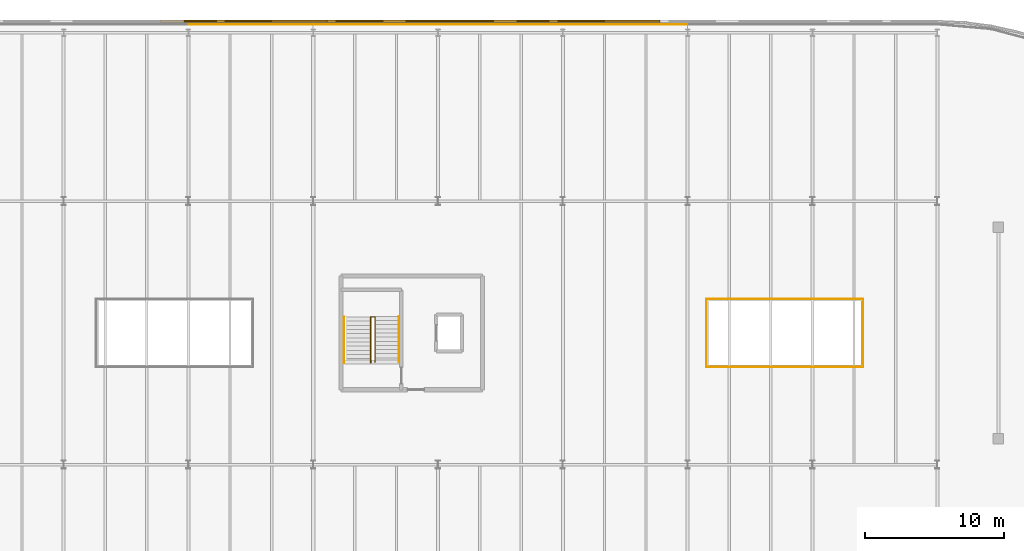
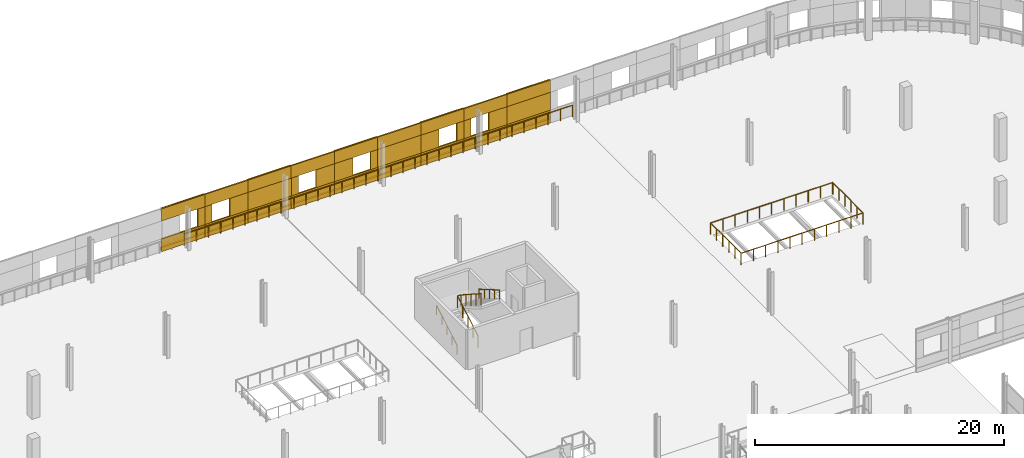
# One storey, part 98 of 103: 46 coverings, 9 railings.
"""IFC4 building model written with IfcOpenShell, lengths in metres."""

from ifc_helpers import new_model, si_unit, direction, frame, origin, origin_2d, place, context, subcontext, project, spatial, rectangle, circle, extrude, material, layer, layer_set, type_object, element, save


model = new_model("IFC4")

# Units and contexts
model_context = context("Model", 3, precision=1e-05, world=origin(), true_north=direction((0.0, 1.0)))
body_context = subcontext(model_context, "Body", "Model", "MODEL_VIEW")
ifc_project = project(units=[si_unit("LENGTHUNIT", "METRE"), si_unit("AREAUNIT", "SQUARE_METRE"), si_unit("VOLUMEUNIT", "CUBIC_METRE"), si_unit("PLANEANGLEUNIT", "RADIAN"), si_unit("MASSUNIT", "GRAM", prefix="KILO")], contexts=[model_context])

# Site, building, storey
site_placement = place(None, origin())
site = spatial("IfcSite", under=ifc_project, at=site_placement, CompositionType="ELEMENT")
building_placement = place(site_placement, origin())
building = spatial("IfcBuilding", under=site, at=building_placement, Name="Deido Ridge Mobility Hub", CompositionType="ELEMENT")
storey_placement = place(building_placement, frame((0.0, 0.0, 12.60009765625)))
storey = spatial("IfcBuildingStorey", under=building, at=storey_placement, Name="L03", CompositionType="ELEMENT", Elevation=12.60009765625)

# Coverings
ifc_material_1 = material(Name="Fired clay brick masonry", Category="masonry")
ifc_layer = layer(ifc_material_1, 0.114990234375, Name="Fired clay brick masonry")
ifc_layer_set = layer_set([ifc_layer], Name="Fired clay brick masonry")
covering_type = type_object("IfcCoveringType", Name="COV-BRK-SCREEN-115", PredefinedType="CLADDING", material=ifc_layer_set)
covering_1_placement = place(storey_placement, frame((95.0, 125.947509765625, 0.0), z_axis=(0.0, 0.0, 1.0), x_axis=(-1.0, 0.0, 0.0)))
element("IfcCovering", 1, at=covering_1_placement, inside=storey, type_object=covering_type, Name="Open brickwork spandrel course BKS1 (L03)", PredefinedType="CLADDING", context=body_context, shape_type="SweptSolid", body=[
    extrude(rectangle(XDim=4.01611328125, YDim=0.125, at=origin_2d()), origin(), (0.0, 0.0, 1.0), 1.25),
])
covering_2_placement = place(storey_placement, frame((95.0, 125.97509765625, 0.0), z_axis=(0.0, 0.0, 1.0), x_axis=(-1.0, 0.0, 0.0)))
element("IfcCovering", 2, at=covering_2_placement, inside=storey, type_object=covering_type, Name="Raised brick relief belt BKS1 (L03)", PredefinedType="CLADDING", context=body_context, shape_type="SweptSolid", body=[
    extrude(rectangle(XDim=4.01611328125, YDim=0.179931640625, at=origin_2d()), origin(), (0.0, 0.0, 1.0), 0.39990234375),
])
covering_3_placement = place(storey_placement, frame((95.0, 125.947509765625, 3.0), z_axis=(0.0, 0.0, 1.0), x_axis=(-1.0, 0.0, 0.0)))
element("IfcCovering", 3, at=covering_3_placement, inside=storey, type_object=covering_type, Name="Open brickwork lintel course BKS1 (L03)", PredefinedType="CLADDING", context=body_context, shape_type="SweptSolid", body=[
    extrude(rectangle(XDim=4.01611328125, YDim=0.125, at=origin_2d()), origin(), (0.0, 0.0, 1.0), 1.199951171875),
])
covering_4_placement = place(storey_placement, frame((95.0, 125.97509765625, 3.83984375), z_axis=(0.0, 0.0, 1.0), x_axis=(-1.0, 0.0, 0.0)))
element("IfcCovering", 4, at=covering_4_placement, inside=storey, type_object=covering_type, Name="Raised brick relief cornice BKS1 (L03)", PredefinedType="CLADDING", context=body_context, shape_type="SweptSolid", body=[
    extrude(rectangle(XDim=4.01611328125, YDim=0.179931640625, at=origin_2d()), origin(), (0.0, 0.0, 1.0), 0.360107421875),
])
covering_5_placement = place(storey_placement, frame((95.0, 125.97509765625, 1.25), z_axis=(0.0, 0.0, 1.0), x_axis=(-1.0, 0.0, 0.0)))
element("IfcCovering", 5, at=covering_5_placement, inside=storey, type_object=covering_type, Name="Raised brick relief panel BKS1 (L03)", PredefinedType="CLADDING", context=body_context, shape_type="SweptSolid", body=[
    extrude(rectangle(XDim=4.008056640625, YDim=0.179931640625, at=origin_2d()), origin(), (0.0, 0.0, 1.0), 1.75),
])
covering_6_placement = place(storey_placement, frame((91.0, 125.947509765625, 0.0), z_axis=(0.0, 0.0, 1.0), x_axis=(-1.0, 0.0, 0.0)))
element("IfcCovering", 6, at=covering_6_placement, inside=storey, type_object=covering_type, Name="Open brickwork spandrel course BKS1 (L03)", PredefinedType="CLADDING", context=body_context, shape_type="SweptSolid", body=[
    extrude(rectangle(XDim=4.01611328125, YDim=0.125, at=origin_2d()), origin(), (0.0, 0.0, 1.0), 1.25),
])
covering_7_placement = place(storey_placement, frame((91.0, 125.97509765625, 0.0), z_axis=(0.0, 0.0, 1.0), x_axis=(-1.0, 0.0, 0.0)))
element("IfcCovering", 7, at=covering_7_placement, inside=storey, type_object=covering_type, Name="Raised brick relief belt BKS1 (L03)", PredefinedType="CLADDING", context=body_context, shape_type="SweptSolid", body=[
    extrude(rectangle(XDim=4.01611328125, YDim=0.179931640625, at=origin_2d()), origin(), (0.0, 0.0, 1.0), 0.39990234375),
])
covering_8_placement = place(storey_placement, frame((91.0, 125.947509765625, 3.0), z_axis=(0.0, 0.0, 1.0), x_axis=(-1.0, 0.0, 0.0)))
element("IfcCovering", 8, at=covering_8_placement, inside=storey, type_object=covering_type, Name="Open brickwork lintel course BKS1 (L03)", PredefinedType="CLADDING", context=body_context, shape_type="SweptSolid", body=[
    extrude(rectangle(XDim=4.01611328125, YDim=0.125, at=origin_2d()), origin(), (0.0, 0.0, 1.0), 1.199951171875),
])
covering_9_placement = place(storey_placement, frame((92.152587890625, 125.947509765625, 1.25), z_axis=(0.0, 0.0, 1.0), x_axis=(-1.0, 0.0, 0.0)))
element("IfcCovering", 9, at=covering_9_placement, inside=storey, type_object=covering_type, Name="Open brickwork pier BKS1 (L03)", PredefinedType="CLADDING", context=body_context, shape_type="SweptSolid", body=[
    extrude(rectangle(XDim=1.695068359375, YDim=0.125, at=origin_2d()), origin(), (0.0, 0.0, 1.0), 1.75),
])
covering_10_placement = place(storey_placement, frame((89.327392578125, 125.97509765625, 1.25), z_axis=(0.0, 0.0, 1.0), x_axis=(-1.0, 0.0, 0.0)))
element("IfcCovering", 10, at=covering_10_placement, inside=storey, type_object=covering_type, Name="Open brickwork pier BKS1 (L03)", PredefinedType="CLADDING", context=body_context, shape_type="SweptSolid", body=[
    extrude(rectangle(XDim=0.655029296875, YDim=0.179931640625, at=origin_2d()), origin(), (0.0, 0.0, 1.0), 1.75),
])
covering_11_placement = place(storey_placement, frame((87.0, 125.947509765625, 0.0), z_axis=(0.0, 0.0, 1.0), x_axis=(-1.0, 0.0, 0.0)))
element("IfcCovering", 11, at=covering_11_placement, inside=storey, type_object=covering_type, Name="Open brickwork spandrel course BKS1 (L03)", PredefinedType="CLADDING", context=body_context, shape_type="SweptSolid", body=[
    extrude(rectangle(XDim=4.01611328125, YDim=0.125, at=origin_2d()), origin(), (0.0, 0.0, 1.0), 1.25),
])
covering_12_placement = place(storey_placement, frame((87.0, 125.97509765625, 0.0), z_axis=(0.0, 0.0, 1.0), x_axis=(-1.0, 0.0, 0.0)))
element("IfcCovering", 12, at=covering_12_placement, inside=storey, type_object=covering_type, Name="Raised brick relief belt BKS1 (L03)", PredefinedType="CLADDING", context=body_context, shape_type="SweptSolid", body=[
    extrude(rectangle(XDim=4.01611328125, YDim=0.179931640625, at=origin_2d()), origin(), (0.0, 0.0, 1.0), 0.39990234375),
])
covering_13_placement = place(storey_placement, frame((87.0, 125.947509765625, 3.0), z_axis=(0.0, 0.0, 1.0), x_axis=(-1.0, 0.0, 0.0)))
element("IfcCovering", 13, at=covering_13_placement, inside=storey, type_object=covering_type, Name="Open brickwork lintel course BKS1 (L03)", PredefinedType="CLADDING", context=body_context, shape_type="SweptSolid", body=[
    extrude(rectangle(XDim=4.01611328125, YDim=0.125, at=origin_2d()), origin(), (0.0, 0.0, 1.0), 1.199951171875),
])
covering_14_placement = place(storey_placement, frame((87.0, 125.97509765625, 3.83984375), z_axis=(0.0, 0.0, 1.0), x_axis=(-1.0, 0.0, 0.0)))
element("IfcCovering", 14, at=covering_14_placement, inside=storey, type_object=covering_type, Name="Raised brick relief cornice BKS1 (L03)", PredefinedType="CLADDING", context=body_context, shape_type="SweptSolid", body=[
    extrude(rectangle(XDim=4.01611328125, YDim=0.179931640625, at=origin_2d()), origin(), (0.0, 0.0, 1.0), 0.360107421875),
])
covering_15_placement = place(storey_placement, frame((88.672607421875, 125.947509765625, 1.25), z_axis=(0.0, 0.0, 1.0), x_axis=(-1.0, 0.0, 0.0)))
element("IfcCovering", 15, at=covering_15_placement, inside=storey, type_object=covering_type, Name="Open brickwork pier BKS1 (L03)", PredefinedType="CLADDING", context=body_context, shape_type="SweptSolid", body=[
    extrude(rectangle(XDim=0.655029296875, YDim=0.125, at=origin_2d()), origin(), (0.0, 0.0, 1.0), 1.75),
])
covering_16_placement = place(storey_placement, frame((85.847412109375, 125.97509765625, 1.25), z_axis=(0.0, 0.0, 1.0), x_axis=(-1.0, 0.0, 0.0)))
element("IfcCovering", 16, at=covering_16_placement, inside=storey, type_object=covering_type, Name="Open brickwork pier BKS1 (L03)", PredefinedType="CLADDING", context=body_context, shape_type="SweptSolid", body=[
    extrude(rectangle(XDim=1.695068359375, YDim=0.179931640625, at=origin_2d()), origin(), (0.0, 0.0, 1.0), 1.75),
])
covering_17_placement = place(storey_placement, frame((83.0, 125.947509765625, 0.0), z_axis=(0.0, 0.0, 1.0), x_axis=(-1.0, 0.0, 0.0)))
element("IfcCovering", 17, at=covering_17_placement, inside=storey, type_object=covering_type, Name="Open brickwork spandrel course BKS1 (L03)", PredefinedType="CLADDING", context=body_context, shape_type="SweptSolid", body=[
    extrude(rectangle(XDim=4.01611328125, YDim=0.125, at=origin_2d()), origin(), (0.0, 0.0, 1.0), 1.25),
])
covering_18_placement = place(storey_placement, frame((83.0, 125.97509765625, 0.0), z_axis=(0.0, 0.0, 1.0), x_axis=(-1.0, 0.0, 0.0)))
element("IfcCovering", 18, at=covering_18_placement, inside=storey, type_object=covering_type, Name="Raised brick relief belt BKS1 (L03)", PredefinedType="CLADDING", context=body_context, shape_type="SweptSolid", body=[
    extrude(rectangle(XDim=4.01611328125, YDim=0.179931640625, at=origin_2d()), origin(), (0.0, 0.0, 1.0), 0.39990234375),
])
covering_19_placement = place(storey_placement, frame((83.0, 125.947509765625, 3.0), z_axis=(0.0, 0.0, 1.0), x_axis=(-1.0, 0.0, 0.0)))
element("IfcCovering", 19, at=covering_19_placement, inside=storey, type_object=covering_type, Name="Open brickwork lintel course BKS1 (L03)", PredefinedType="CLADDING", context=body_context, shape_type="SweptSolid", body=[
    extrude(rectangle(XDim=4.01611328125, YDim=0.125, at=origin_2d()), origin(), (0.0, 0.0, 1.0), 1.199951171875),
])
covering_20_placement = place(storey_placement, frame((83.0, 125.97509765625, 1.25), z_axis=(0.0, 0.0, 1.0), x_axis=(-1.0, 0.0, 0.0)))
element("IfcCovering", 20, at=covering_20_placement, inside=storey, type_object=covering_type, Name="Raised brick relief panel BKS1 (L03)", PredefinedType="CLADDING", context=body_context, shape_type="SweptSolid", body=[
    extrude(rectangle(XDim=4.008056640625, YDim=0.179931640625, at=origin_2d()), origin(), (0.0, 0.0, 1.0), 1.75),
])
covering_21_placement = place(storey_placement, frame((79.0, 125.947509765625, 0.0), z_axis=(0.0, 0.0, 1.0), x_axis=(-1.0, 0.0, 0.0)))
element("IfcCovering", 21, at=covering_21_placement, inside=storey, type_object=covering_type, Name="Open brickwork spandrel course BKS1 (L03)", PredefinedType="CLADDING", context=body_context, shape_type="SweptSolid", body=[
    extrude(rectangle(XDim=4.01611328125, YDim=0.125, at=origin_2d()), origin(), (0.0, 0.0, 1.0), 1.25),
])
covering_22_placement = place(storey_placement, frame((79.0, 125.97509765625, 0.0), z_axis=(0.0, 0.0, 1.0), x_axis=(-1.0, 0.0, 0.0)))
element("IfcCovering", 22, at=covering_22_placement, inside=storey, type_object=covering_type, Name="Raised brick relief belt BKS1 (L03)", PredefinedType="CLADDING", context=body_context, shape_type="SweptSolid", body=[
    extrude(rectangle(XDim=4.01611328125, YDim=0.179931640625, at=origin_2d()), origin(), (0.0, 0.0, 1.0), 0.39990234375),
])
covering_23_placement = place(storey_placement, frame((79.0, 125.947509765625, 3.0), z_axis=(0.0, 0.0, 1.0), x_axis=(-1.0, 0.0, 0.0)))
element("IfcCovering", 23, at=covering_23_placement, inside=storey, type_object=covering_type, Name="Open brickwork lintel course BKS1 (L03)", PredefinedType="CLADDING", context=body_context, shape_type="SweptSolid", body=[
    extrude(rectangle(XDim=4.01611328125, YDim=0.125, at=origin_2d()), origin(), (0.0, 0.0, 1.0), 1.199951171875),
])
covering_24_placement = place(storey_placement, frame((79.0, 125.97509765625, 3.83984375), z_axis=(0.0, 0.0, 1.0), x_axis=(-1.0, 0.0, 0.0)))
element("IfcCovering", 24, at=covering_24_placement, inside=storey, type_object=covering_type, Name="Raised brick relief cornice BKS1 (L03)", PredefinedType="CLADDING", context=body_context, shape_type="SweptSolid", body=[
    extrude(rectangle(XDim=4.01611328125, YDim=0.179931640625, at=origin_2d()), origin(), (0.0, 0.0, 1.0), 0.360107421875),
])
covering_25_placement = place(storey_placement, frame((80.672607421875, 125.947509765625, 1.25), z_axis=(0.0, 0.0, 1.0), x_axis=(-1.0, 0.0, 0.0)))
element("IfcCovering", 25, at=covering_25_placement, inside=storey, type_object=covering_type, Name="Open brickwork pier BKS1 (L03)", PredefinedType="CLADDING", context=body_context, shape_type="SweptSolid", body=[
    extrude(rectangle(XDim=0.655029296875, YDim=0.125, at=origin_2d()), origin(), (0.0, 0.0, 1.0), 1.75),
])
covering_26_placement = place(storey_placement, frame((77.847412109375, 125.97509765625, 1.25), z_axis=(0.0, 0.0, 1.0), x_axis=(-1.0, 0.0, 0.0)))
element("IfcCovering", 26, at=covering_26_placement, inside=storey, type_object=covering_type, Name="Open brickwork pier BKS1 (L03)", PredefinedType="CLADDING", context=body_context, shape_type="SweptSolid", body=[
    extrude(rectangle(XDim=1.695068359375, YDim=0.179931640625, at=origin_2d()), origin(), (0.0, 0.0, 1.0), 1.75),
])
covering_27_placement = place(storey_placement, frame((75.0, 125.947509765625, 0.0), z_axis=(0.0, 0.0, 1.0), x_axis=(-1.0, 0.0, 0.0)))
element("IfcCovering", 27, at=covering_27_placement, inside=storey, type_object=covering_type, Name="Open brickwork spandrel course BKS1 (L03)", PredefinedType="CLADDING", context=body_context, shape_type="SweptSolid", body=[
    extrude(rectangle(XDim=4.01611328125, YDim=0.125, at=origin_2d()), origin(), (0.0, 0.0, 1.0), 1.25),
])
covering_28_placement = place(storey_placement, frame((75.0, 125.97509765625, 0.0), z_axis=(0.0, 0.0, 1.0), x_axis=(-1.0, 0.0, 0.0)))
element("IfcCovering", 28, at=covering_28_placement, inside=storey, type_object=covering_type, Name="Raised brick relief belt BKS1 (L03)", PredefinedType="CLADDING", context=body_context, shape_type="SweptSolid", body=[
    extrude(rectangle(XDim=4.01611328125, YDim=0.179931640625, at=origin_2d()), origin(), (0.0, 0.0, 1.0), 0.39990234375),
])
covering_29_placement = place(storey_placement, frame((75.0, 125.947509765625, 3.0), z_axis=(0.0, 0.0, 1.0), x_axis=(-1.0, 0.0, 0.0)))
element("IfcCovering", 29, at=covering_29_placement, inside=storey, type_object=covering_type, Name="Open brickwork lintel course BKS1 (L03)", PredefinedType="CLADDING", context=body_context, shape_type="SweptSolid", body=[
    extrude(rectangle(XDim=4.01611328125, YDim=0.125, at=origin_2d()), origin(), (0.0, 0.0, 1.0), 1.199951171875),
])
covering_30_placement = place(storey_placement, frame((76.152587890625, 125.947509765625, 1.25), z_axis=(0.0, 0.0, 1.0), x_axis=(-1.0, 0.0, 0.0)))
element("IfcCovering", 30, at=covering_30_placement, inside=storey, type_object=covering_type, Name="Open brickwork pier BKS1 (L03)", PredefinedType="CLADDING", context=body_context, shape_type="SweptSolid", body=[
    extrude(rectangle(XDim=1.695068359375, YDim=0.125, at=origin_2d()), origin(), (0.0, 0.0, 1.0), 1.75),
])
covering_31_placement = place(storey_placement, frame((73.327392578125, 125.97509765625, 1.25), z_axis=(0.0, 0.0, 1.0), x_axis=(-1.0, 0.0, 0.0)))
element("IfcCovering", 31, at=covering_31_placement, inside=storey, type_object=covering_type, Name="Open brickwork pier BKS1 (L03)", PredefinedType="CLADDING", context=body_context, shape_type="SweptSolid", body=[
    extrude(rectangle(XDim=0.655029296875, YDim=0.179931640625, at=origin_2d()), origin(), (0.0, 0.0, 1.0), 1.75),
])
covering_32_placement = place(storey_placement, frame((71.0, 125.947509765625, 0.0), z_axis=(0.0, 0.0, 1.0), x_axis=(-1.0, 0.0, 0.0)))
element("IfcCovering", 32, at=covering_32_placement, inside=storey, type_object=covering_type, Name="Open brickwork spandrel course BKS1 (L03)", PredefinedType="CLADDING", context=body_context, shape_type="SweptSolid", body=[
    extrude(rectangle(XDim=4.01611328125, YDim=0.125, at=origin_2d()), origin(), (0.0, 0.0, 1.0), 1.25),
])
covering_33_placement = place(storey_placement, frame((71.0, 125.97509765625, 0.0), z_axis=(0.0, 0.0, 1.0), x_axis=(-1.0, 0.0, 0.0)))
element("IfcCovering", 33, at=covering_33_placement, inside=storey, type_object=covering_type, Name="Raised brick relief belt BKS1 (L03)", PredefinedType="CLADDING", context=body_context, shape_type="SweptSolid", body=[
    extrude(rectangle(XDim=4.01611328125, YDim=0.179931640625, at=origin_2d()), origin(), (0.0, 0.0, 1.0), 0.39990234375),
])
covering_34_placement = place(storey_placement, frame((71.0, 125.947509765625, 3.0), z_axis=(0.0, 0.0, 1.0), x_axis=(-1.0, 0.0, 0.0)))
element("IfcCovering", 34, at=covering_34_placement, inside=storey, type_object=covering_type, Name="Open brickwork lintel course BKS1 (L03)", PredefinedType="CLADDING", context=body_context, shape_type="SweptSolid", body=[
    extrude(rectangle(XDim=4.01611328125, YDim=0.125, at=origin_2d()), origin(), (0.0, 0.0, 1.0), 1.199951171875),
])
covering_35_placement = place(storey_placement, frame((71.0, 125.97509765625, 3.83984375), z_axis=(0.0, 0.0, 1.0), x_axis=(-1.0, 0.0, 0.0)))
element("IfcCovering", 35, at=covering_35_placement, inside=storey, type_object=covering_type, Name="Raised brick relief cornice BKS1 (L03)", PredefinedType="CLADDING", context=body_context, shape_type="SweptSolid", body=[
    extrude(rectangle(XDim=4.01611328125, YDim=0.179931640625, at=origin_2d()), origin(), (0.0, 0.0, 1.0), 0.360107421875),
])
covering_36_placement = place(storey_placement, frame((71.0, 125.97509765625, 1.25), z_axis=(0.0, 0.0, 1.0), x_axis=(-1.0, 0.0, 0.0)))
element("IfcCovering", 36, at=covering_36_placement, inside=storey, type_object=covering_type, Name="Raised brick relief panel BKS1 (L03)", PredefinedType="CLADDING", context=body_context, shape_type="SweptSolid", body=[
    extrude(rectangle(XDim=4.008056640625, YDim=0.179931640625, at=origin_2d()), origin(), (0.0, 0.0, 1.0), 1.75),
])
covering_37_placement = place(storey_placement, frame((67.0, 125.947509765625, 0.0), z_axis=(0.0, 0.0, 1.0), x_axis=(-1.0, 0.0, 0.0)))
element("IfcCovering", 37, at=covering_37_placement, inside=storey, type_object=covering_type, Name="Open brickwork spandrel course BKS1 (L03)", PredefinedType="CLADDING", context=body_context, shape_type="SweptSolid", body=[
    extrude(rectangle(XDim=4.01611328125, YDim=0.125, at=origin_2d()), origin(), (0.0, 0.0, 1.0), 1.25),
])
covering_38_placement = place(storey_placement, frame((67.0, 125.97509765625, 0.0), z_axis=(0.0, 0.0, 1.0), x_axis=(-1.0, 0.0, 0.0)))
element("IfcCovering", 38, at=covering_38_placement, inside=storey, type_object=covering_type, Name="Raised brick relief belt BKS1 (L03)", PredefinedType="CLADDING", context=body_context, shape_type="SweptSolid", body=[
    extrude(rectangle(XDim=4.01611328125, YDim=0.179931640625, at=origin_2d()), origin(), (0.0, 0.0, 1.0), 0.39990234375),
])
covering_39_placement = place(storey_placement, frame((67.0, 125.947509765625, 3.0), z_axis=(0.0, 0.0, 1.0), x_axis=(-1.0, 0.0, 0.0)))
element("IfcCovering", 39, at=covering_39_placement, inside=storey, type_object=covering_type, Name="Open brickwork lintel course BKS1 (L03)", PredefinedType="CLADDING", context=body_context, shape_type="SweptSolid", body=[
    extrude(rectangle(XDim=4.01611328125, YDim=0.125, at=origin_2d()), origin(), (0.0, 0.0, 1.0), 1.199951171875),
])
covering_40_placement = place(storey_placement, frame((68.152587890625, 125.947509765625, 1.25), z_axis=(0.0, 0.0, 1.0), x_axis=(-1.0, 0.0, 0.0)))
element("IfcCovering", 40, at=covering_40_placement, inside=storey, type_object=covering_type, Name="Open brickwork pier BKS1 (L03)", PredefinedType="CLADDING", context=body_context, shape_type="SweptSolid", body=[
    extrude(rectangle(XDim=1.695068359375, YDim=0.125, at=origin_2d()), origin(), (0.0, 0.0, 1.0), 1.75),
])
covering_41_placement = place(storey_placement, frame((65.327392578125, 125.97509765625, 1.25), z_axis=(0.0, 0.0, 1.0), x_axis=(-1.0, 0.0, 0.0)))
element("IfcCovering", 41, at=covering_41_placement, inside=storey, type_object=covering_type, Name="Open brickwork pier BKS1 (L03)", PredefinedType="CLADDING", context=body_context, shape_type="SweptSolid", body=[
    extrude(rectangle(XDim=0.655029296875, YDim=0.179931640625, at=origin_2d()), origin(), (0.0, 0.0, 1.0), 1.75),
])
covering_42_placement = place(storey_placement, frame((63.0, 125.947509765625, 0.0), z_axis=(0.0, 0.0, 1.0), x_axis=(-1.0, 0.0, 0.0)))
element("IfcCovering", 42, at=covering_42_placement, inside=storey, type_object=covering_type, Name="Open brickwork spandrel course BKS1 (L03)", PredefinedType="CLADDING", context=body_context, shape_type="SweptSolid", body=[
    extrude(rectangle(XDim=4.01611328125, YDim=0.125, at=origin_2d()), origin(), (0.0, 0.0, 1.0), 1.25),
])
covering_43_placement = place(storey_placement, frame((63.0, 125.97509765625, 0.0), z_axis=(0.0, 0.0, 1.0), x_axis=(-1.0, 0.0, 0.0)))
element("IfcCovering", 43, at=covering_43_placement, inside=storey, type_object=covering_type, Name="Raised brick relief belt BKS1 (L03)", PredefinedType="CLADDING", context=body_context, shape_type="SweptSolid", body=[
    extrude(rectangle(XDim=4.01611328125, YDim=0.179931640625, at=origin_2d()), origin(), (0.0, 0.0, 1.0), 0.39990234375),
])
covering_44_placement = place(storey_placement, frame((63.0, 125.947509765625, 3.0), z_axis=(0.0, 0.0, 1.0), x_axis=(-1.0, 0.0, 0.0)))
element("IfcCovering", 44, at=covering_44_placement, inside=storey, type_object=covering_type, Name="Open brickwork lintel course BKS1 (L03)", PredefinedType="CLADDING", context=body_context, shape_type="SweptSolid", body=[
    extrude(rectangle(XDim=4.01611328125, YDim=0.125, at=origin_2d()), origin(), (0.0, 0.0, 1.0), 1.199951171875),
])
covering_45_placement = place(storey_placement, frame((63.0, 125.97509765625, 3.83984375), z_axis=(0.0, 0.0, 1.0), x_axis=(-1.0, 0.0, 0.0)))
element("IfcCovering", 45, at=covering_45_placement, inside=storey, type_object=covering_type, Name="Raised brick relief cornice BKS1 (L03)", PredefinedType="CLADDING", context=body_context, shape_type="SweptSolid", body=[
    extrude(rectangle(XDim=4.01611328125, YDim=0.179931640625, at=origin_2d()), origin(), (0.0, 0.0, 1.0), 0.360107421875),
])
covering_46_placement = place(storey_placement, frame((64.672607421875, 125.947509765625, 1.25), z_axis=(0.0, 0.0, 1.0), x_axis=(-1.0, 0.0, 0.0)))
element("IfcCovering", 46, at=covering_46_placement, inside=storey, type_object=covering_type, Name="Open brickwork pier BKS1 (L03)", PredefinedType="CLADDING", context=body_context, shape_type="SweptSolid", body=[
    extrude(rectangle(XDim=0.655029296875, YDim=0.125, at=origin_2d()), origin(), (0.0, 0.0, 1.0), 1.75),
])

# Railings
ifc_material_2 = material(Name="Galvanised steel work", Category="steel")
railing_type_1 = type_object("IfcRailingType", Name="RL-GRD-EXT-1150", PredefinedType="GUARDRAIL", material=ifc_material_2)
for number, where, name in (
    (47, (98.9599609375, 125.75, 0.0), "Parking drum perimeter guard (L03)"),
    (48, (89.9599609375, 125.75, 0.0), "Parking drum perimeter guard (L03)"),
    (49, (80.9599609375, 125.75, 0.0), "Parking drum perimeter guard (L03)"),
    (50, (71.9599609375, 125.75, 0.0), "Parking drum perimeter guard (L03)"),
):
    element("IfcRailing", number, at=place(storey_placement, frame(where)), inside=storey, type_object=railing_type_1, Name=name, PredefinedType="GUARDRAIL", context=body_context, shape_type="SweptSolid", body=[
        extrude(circle(Radius=0.02392578125, at=origin_2d()), frame((0.0, 0.0, 1.1259765625), z_axis=(-1.0, 0.0, 0.0), x_axis=(0.0, -1.0, 0.0)), (0.0, 0.0, 1.0), 8.919921875),
        extrude(circle(Radius=0.02099609375, at=origin_2d()), origin(), (0.0, 0.0, 1.0), 1.101806640625),
        extrude(circle(Radius=0.02099609375, at=origin_2d()), frame((-1.114990234375, 0.0, 0.0)), (0.0, 0.0, 1.0), 1.101806640625),
        extrude(circle(Radius=0.02099609375, at=origin_2d()), frame((-2.22998046875, 0.0, 0.0)), (0.0, 0.0, 1.0), 1.101806640625),
        extrude(circle(Radius=0.02099609375, at=origin_2d()), frame((-3.344970703125, 0.0, 0.0)), (0.0, 0.0, 1.0), 1.101806640625),
        extrude(circle(Radius=0.02099609375, at=origin_2d()), frame((-4.4599609375, 0.0, 0.0)), (0.0, 0.0, 1.0), 1.101806640625),
        extrude(circle(Radius=0.02099609375, at=origin_2d()), frame((-5.574951171875, 0.0, 0.0)), (0.0, 0.0, 1.0), 1.101806640625),
        extrude(circle(Radius=0.02099609375, at=origin_2d()), frame((-6.68994140625, 0.0, 0.0)), (0.0, 0.0, 1.0), 1.101806640625),
        extrude(circle(Radius=0.02099609375, at=origin_2d()), frame((-7.804931640625, 0.0, 0.0)), (0.0, 0.0, 1.0), 1.101806640625),
        extrude(circle(Radius=0.02099609375, at=origin_2d()), frame((-8.919921875, 0.0, 0.0)), (0.0, 0.0, 1.0), 1.101806640625),
    ])
railing_1_placement = place(storey_placement, frame((100.35009765625, 101.050048828125, 0.0)))
element("IfcRailing", 51, at=railing_1_placement, inside=storey, type_object=railing_type_1, Name="Parking east lightwell guard (L03) A", PredefinedType="GUARDRAIL", context=body_context, shape_type="SweptSolid", body=[
    extrude(circle(Radius=0.02392578125, at=origin_2d()), frame((0.0, 0.0, 1.1259765625), z_axis=(1.0, 0.0, 0.0), x_axis=(0.0, 1.0, 0.0)), (0.0, 0.0, 1.0), 11.2998046875),
    extrude(circle(Radius=0.02392578125, at=origin_2d()), frame((11.2998046875, 0.0, 1.1259765625), z_axis=(0.0, 1.0, 0.0), x_axis=(-1.0, 0.0, 0.0)), (0.0, 0.0, 1.0), 4.83984375),
    extrude(circle(Radius=0.02099609375, at=origin_2d()), origin(), (0.0, 0.0, 1.0), 1.101806640625),
    extrude(circle(Radius=0.02099609375, at=origin_2d()), frame((1.1298828125, 0.0, 0.0)), (0.0, 0.0, 1.0), 1.101806640625),
    extrude(circle(Radius=0.02099609375, at=origin_2d()), frame((2.260009765625, 0.0, 0.0)), (0.0, 0.0, 1.0), 1.101806640625),
    extrude(circle(Radius=0.02099609375, at=origin_2d()), frame((3.389892578125, 0.0, 0.0)), (0.0, 0.0, 1.0), 1.101806640625),
    extrude(circle(Radius=0.02099609375, at=origin_2d()), frame((4.52001953125, 0.0, 0.0)), (0.0, 0.0, 1.0), 1.101806640625),
    extrude(circle(Radius=0.02099609375, at=origin_2d()), frame((5.64990234375, 0.0, 0.0)), (0.0, 0.0, 1.0), 1.101806640625),
    extrude(circle(Radius=0.02099609375, at=origin_2d()), frame((6.77978515625, 0.0, 0.0)), (0.0, 0.0, 1.0), 1.101806640625),
    extrude(circle(Radius=0.02099609375, at=origin_2d()), frame((7.909912109375, 0.0, 0.0)), (0.0, 0.0, 1.0), 1.101806640625),
    extrude(circle(Radius=0.02099609375, at=origin_2d()), frame((9.039794921875, 0.0, 0.0)), (0.0, 0.0, 1.0), 1.101806640625),
    extrude(circle(Radius=0.02099609375, at=origin_2d()), frame((10.169921875, 0.0, 0.0)), (0.0, 0.0, 1.0), 1.101806640625),
    extrude(circle(Radius=0.02099609375, at=origin_2d()), frame((11.2998046875, 0.0, 0.0)), (0.0, 0.0, 1.0), 1.101806640625),
    extrude(circle(Radius=0.02099609375, at=origin_2d()), frame((11.2998046875, 0.968017578125, 0.0)), (0.0, 0.0, 1.0), 1.101806640625),
    extrude(circle(Radius=0.02099609375, at=origin_2d()), frame((11.2998046875, 1.93603515625, 0.0)), (0.0, 0.0, 1.0), 1.101806640625),
    extrude(circle(Radius=0.02099609375, at=origin_2d()), frame((11.2998046875, 2.90380859375, 0.0)), (0.0, 0.0, 1.0), 1.101806640625),
    extrude(circle(Radius=0.02099609375, at=origin_2d()), frame((11.2998046875, 3.871826171875, 0.0)), (0.0, 0.0, 1.0), 1.101806640625),
    extrude(circle(Radius=0.02099609375, at=origin_2d()), frame((11.2998046875, 4.83984375, 0.0)), (0.0, 0.0, 1.0), 1.101806640625),
])
railing_2_placement = place(storey_placement, frame((111.64990234375, 105.949951171875, 0.0)))
element("IfcRailing", 52, at=railing_2_placement, inside=storey, type_object=railing_type_1, Name="Parking east lightwell guard (L03) B", PredefinedType="GUARDRAIL", context=body_context, shape_type="SweptSolid", body=[
    extrude(circle(Radius=0.02392578125, at=origin_2d()), frame((0.0, 0.0, 1.1259765625), z_axis=(-1.0, 0.0, 0.0), x_axis=(0.0, -1.0, 0.0)), (0.0, 0.0, 1.0), 11.2998046875),
    extrude(circle(Radius=0.02392578125, at=origin_2d()), frame((-11.2998046875, 0.0, 1.1259765625), z_axis=(0.0, -1.0, 0.0), x_axis=(1.0, 0.0, 0.0)), (0.0, 0.0, 1.0), 4.83984375),
    extrude(circle(Radius=0.02099609375, at=origin_2d()), origin(), (0.0, 0.0, 1.0), 1.101806640625),
    extrude(circle(Radius=0.02099609375, at=origin_2d()), frame((-1.1298828125, 0.0, 0.0)), (0.0, 0.0, 1.0), 1.101806640625),
    extrude(circle(Radius=0.02099609375, at=origin_2d()), frame((-2.260009765625, 0.0, 0.0)), (0.0, 0.0, 1.0), 1.101806640625),
    extrude(circle(Radius=0.02099609375, at=origin_2d()), frame((-3.389892578125, 0.0, 0.0)), (0.0, 0.0, 1.0), 1.101806640625),
    extrude(circle(Radius=0.02099609375, at=origin_2d()), frame((-4.52001953125, 0.0, 0.0)), (0.0, 0.0, 1.0), 1.101806640625),
    extrude(circle(Radius=0.02099609375, at=origin_2d()), frame((-5.64990234375, 0.0, 0.0)), (0.0, 0.0, 1.0), 1.101806640625),
    extrude(circle(Radius=0.02099609375, at=origin_2d()), frame((-6.77978515625, 0.0, 0.0)), (0.0, 0.0, 1.0), 1.101806640625),
    extrude(circle(Radius=0.02099609375, at=origin_2d()), frame((-7.909912109375, 0.0, 0.0)), (0.0, 0.0, 1.0), 1.101806640625),
    extrude(circle(Radius=0.02099609375, at=origin_2d()), frame((-9.039794921875, 0.0, 0.0)), (0.0, 0.0, 1.0), 1.101806640625),
    extrude(circle(Radius=0.02099609375, at=origin_2d()), frame((-10.169921875, 0.0, 0.0)), (0.0, 0.0, 1.0), 1.101806640625),
    extrude(circle(Radius=0.02099609375, at=origin_2d()), frame((-11.2998046875, 0.0, 0.0)), (0.0, 0.0, 1.0), 1.101806640625),
    extrude(circle(Radius=0.02099609375, at=origin_2d()), frame((-11.2998046875, -0.968017578125, 0.0)), (0.0, 0.0, 1.0), 1.101806640625),
    extrude(circle(Radius=0.02099609375, at=origin_2d()), frame((-11.2998046875, -1.93603515625, 0.0)), (0.0, 0.0, 1.0), 1.101806640625),
    extrude(circle(Radius=0.02099609375, at=origin_2d()), frame((-11.2998046875, -2.90380859375, 0.0)), (0.0, 0.0, 1.0), 1.101806640625),
    extrude(circle(Radius=0.02099609375, at=origin_2d()), frame((-11.2998046875, -3.871826171875, 0.0)), (0.0, 0.0, 1.0), 1.101806640625),
    extrude(circle(Radius=0.02099609375, at=origin_2d()), frame((-11.2998046875, -4.83984375, 0.0)), (0.0, 0.0, 1.0), 1.101806640625),
])
railing_type_2 = type_object("IfcRailingType", Name="RL-STAIR-GRD-1150", PredefinedType="GUARDRAIL", material=ifc_material_2)
railing_3_placement = place(storey_placement, frame((76.14990234375, 101.35009765625, 0.1748046875)))
element("IfcRailing", 53, at=railing_3_placement, inside=storey, type_object=railing_type_2, Name="ST5 inner well guard (L03)", PredefinedType="GUARDRAIL", context=body_context, shape_type="SweptSolid", body=[
    extrude(circle(Radius=0.02392578125, at=origin_2d()), frame((0.0, 0.0, 1.1259765625), z_axis=(0.0, 0.863760357493, 0.503902812876), x_axis=(-1.0, 0.0, 0.0)), (0.0, 0.0, 1.0), 3.8203125),
    extrude(circle(Radius=0.02392578125, at=origin_2d()), frame((0.0, 3.2998046875, 3.05078125), z_axis=(1.0, 0.0, 0.0), x_axis=(0.0, 1.0, 0.0)), (0.0, 0.0, 1.0), 0.300048828125),
    extrude(circle(Radius=0.02392578125, at=origin_2d()), frame((0.300048828125, 3.2998046875, 3.05078125), z_axis=(0.0, -0.839905164138, 0.542733189748), x_axis=(1.0, 0.0, 0.0)), (0.0, 0.0, 1.0), 3.869384765625),
    extrude(circle(Radius=0.02099609375, at=origin_2d()), origin(), (0.0, 0.0, 1.0), 1.101806640625),
    extrude(circle(Radius=0.02099609375, at=origin_2d()), frame((0.0, 0.824951171875, 0.481201171875)), (0.0, 0.0, 1.0), 1.101806640625),
    extrude(circle(Radius=0.02099609375, at=origin_2d()), frame((0.0, 1.64990234375, 0.96240234375)), (0.0, 0.0, 1.0), 1.101806640625),
    extrude(circle(Radius=0.02099609375, at=origin_2d()), frame((0.0, 2.474853515625, 1.44384765625)), (0.0, 0.0, 1.0), 1.101806640625),
    extrude(circle(Radius=0.02099609375, at=origin_2d()), frame((0.0, 3.2998046875, 1.925048828125)), (0.0, 0.0, 1.0), 1.101806640625),
    extrude(circle(Radius=0.02099609375, at=origin_2d()), frame((0.300048828125, 3.2998046875, 1.925048828125)), (0.0, 0.0, 1.0), 1.101806640625),
    extrude(circle(Radius=0.02099609375, at=origin_2d()), frame((0.300048828125, 2.4873046875, 2.4501953125)), (0.0, 0.0, 1.0), 1.101806640625),
    extrude(circle(Radius=0.02099609375, at=origin_2d()), frame((0.300048828125, 1.6748046875, 2.97509765625)), (0.0, 0.0, 1.0), 1.101806640625),
    extrude(circle(Radius=0.02099609375, at=origin_2d()), frame((0.300048828125, 0.8623046875, 3.5)), (0.0, 0.0, 1.0), 1.101806640625),
    extrude(circle(Radius=0.02099609375, at=origin_2d()), frame((0.300048828125, 0.0498046875, 4.025146484375)), (0.0, 0.0, 1.0), 1.101806640625),
])
ifc_material_3 = material(Name="Stainless steel 316", Category="steel")
railing_type_3 = type_object("IfcRailingType", Name="RL-STAIR-HND-900", PredefinedType="HANDRAIL", material=ifc_material_3)
railing_4_placement = place(storey_placement, frame((74.2099609375, 101.35009765625, 0.1748046875)))
element("IfcRailing", 54, at=railing_4_placement, inside=storey, type_object=railing_type_3, Name="ST5 flight 1 handrail (L03)", PredefinedType="HANDRAIL", context=body_context, shape_type="SweptSolid", body=[
    extrude(circle(Radius=0.02392578125, at=origin_2d()), frame((0.0, 0.0, 0.8759765625), z_axis=(0.0, 0.863760357493, 0.503902812876), x_axis=(-1.0, 0.0, 0.0)), (0.0, 0.0, 1.0), 3.8203125),
    extrude(circle(Radius=0.02099609375, at=origin_2d()), origin(), (0.0, 0.0, 1.0), 0.851806640625),
    extrude(circle(Radius=0.02099609375, at=origin_2d()), frame((0.0, 0.824951171875, 0.481201171875)), (0.0, 0.0, 1.0), 0.851806640625),
    extrude(circle(Radius=0.02099609375, at=origin_2d()), frame((0.0, 1.64990234375, 0.96240234375)), (0.0, 0.0, 1.0), 0.851806640625),
    extrude(circle(Radius=0.02099609375, at=origin_2d()), frame((0.0, 2.474853515625, 1.44384765625)), (0.0, 0.0, 1.0), 0.851806640625),
    extrude(circle(Radius=0.02099609375, at=origin_2d()), frame((0.0, 3.2998046875, 1.925048828125)), (0.0, 0.0, 1.0), 0.851806640625),
])
railing_5_placement = place(storey_placement, frame((78.175048828125, 104.699951171875, 2.27490234375)))
element("IfcRailing", 55, at=railing_5_placement, inside=storey, type_object=railing_type_3, Name="ST5 flight 2 handrail (L03)", PredefinedType="HANDRAIL", context=body_context, shape_type="SweptSolid", body=[
    extrude(circle(Radius=0.02392578125, at=origin_2d()), frame((0.0, 0.0, 0.8759765625), z_axis=(0.0, -0.863776583165, 0.503874998761), x_axis=(1.0, 0.0, 0.0)), (0.0, 0.0, 1.0), 3.820556640625),
    extrude(circle(Radius=0.02099609375, at=origin_2d()), origin(), (0.0, 0.0, 1.0), 0.851806640625),
    extrude(circle(Radius=0.02099609375, at=origin_2d()), frame((0.0, -0.824951171875, 0.481201171875)), (0.0, 0.0, 1.0), 0.851806640625),
    extrude(circle(Radius=0.02099609375, at=origin_2d()), frame((0.0, -1.64990234375, 0.96240234375)), (0.0, 0.0, 1.0), 0.851806640625),
    extrude(circle(Radius=0.02099609375, at=origin_2d()), frame((0.0, -2.47509765625, 1.44384765625)), (0.0, 0.0, 1.0), 0.851806640625),
    extrude(circle(Radius=0.02099609375, at=origin_2d()), frame((0.0, -3.300048828125, 1.925048828125)), (0.0, 0.0, 1.0), 0.851806640625),
])

save(model, "model.ifc")
